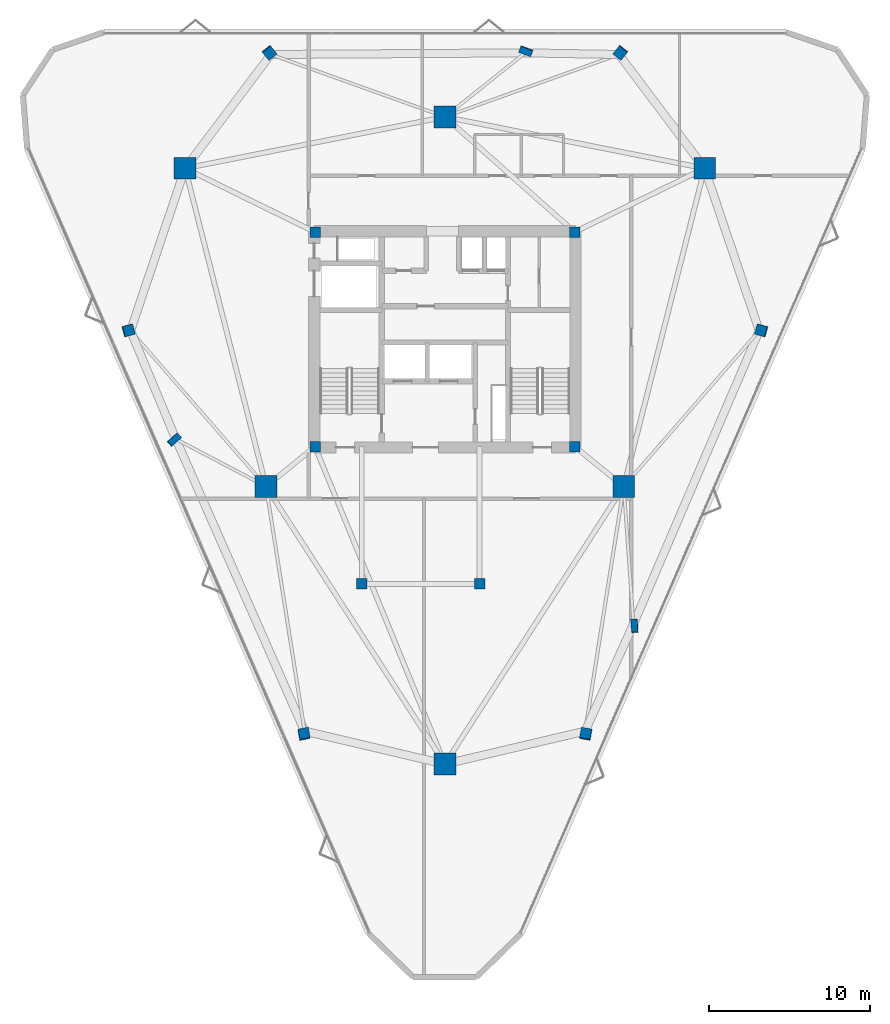
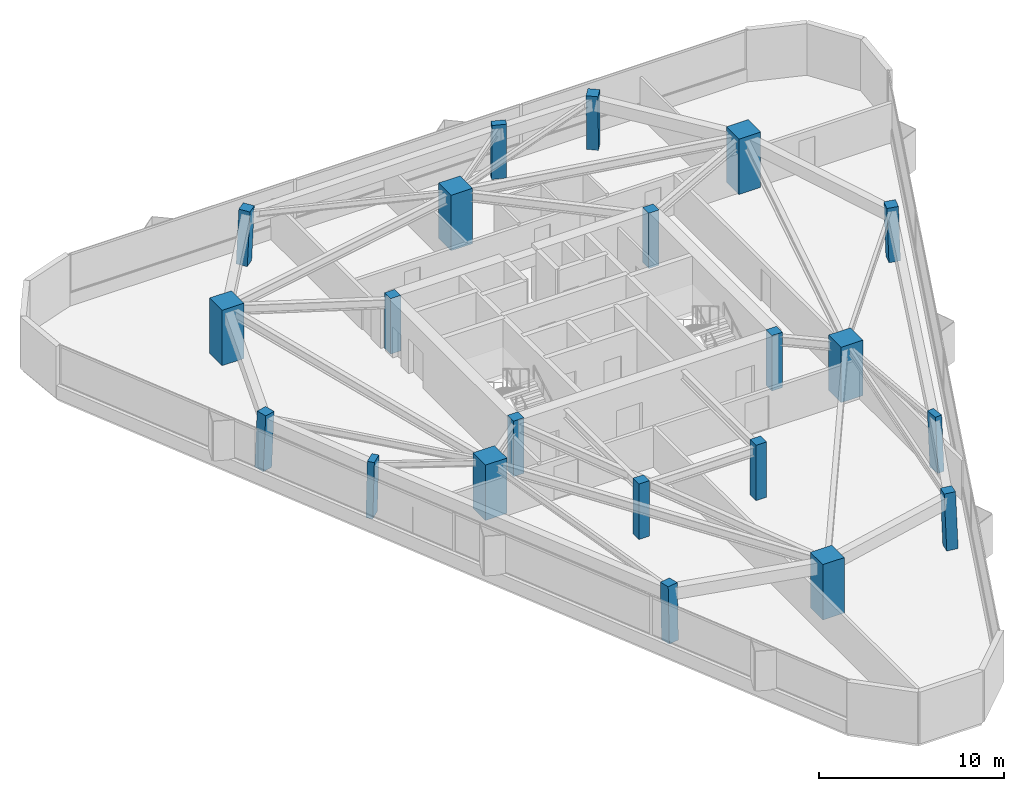
# One storey, part 1 of 12: 21 columns.
"""IFC4 building model written with IfcOpenShell, lengths in metres."""

from ifc_helpers import new_model, si_unit, direction, frame, origin, origin_2d, place, context, subcontext, project, spatial, rectangle, extrude, material, material_profile, profile_set, type_object, element, save


model = new_model("IFC4")

# Units and contexts
model_context = context("Model", 3, precision=1e-05, world=origin(), true_north=direction((0.0, 1.0)))
body_context = subcontext(model_context, "Body", "Model", "MODEL_VIEW")
ifc_project = project(units=[si_unit("LENGTHUNIT", "METRE"), si_unit("AREAUNIT", "SQUARE_METRE"), si_unit("VOLUMEUNIT", "CUBIC_METRE"), si_unit("PLANEANGLEUNIT", "RADIAN"), si_unit("MASSUNIT", "GRAM", prefix="KILO")], contexts=[model_context])

# Site, building, storey
site_placement = place(None, origin())
site = spatial("IfcSite", under=ifc_project, at=site_placement, CompositionType="ELEMENT")
building_placement = place(site_placement, origin())
building = spatial("IfcBuilding", under=site, at=building_placement, Name="Talyreon Biosciences Tower", CompositionType="ELEMENT")
storey_placement = place(building_placement, frame((0.0, 0.0, 197.64990234375)))
storey = spatial("IfcBuildingStorey", under=building, at=storey_placement, Name="L52", CompositionType="ELEMENT", Elevation=197.64990234375)

# Columns
ifc_material_1 = material(Name="Precast concrete C45/55", Category="concrete")
ifc_material_profile_1 = material_profile(ifc_material_1, rectangle(XDim=0.800048828125, YDim=0.39990234375, at=origin_2d()), Name="RC 800x400")
ifc_profile_set_1 = profile_set([ifc_material_profile_1], Name="Precast concrete C45/55")
column_type_1 = type_object("IfcColumnType", Name="FacadePilaster_800x400", PredefinedType="PILASTER", material=ifc_profile_set_1)
column_1_placement = place(storey_placement, frame((77.763916015625, 50.21630859375, 0.003173828125), z_axis=(-0.019611953815, 0.038353752683, 0.999071749637), x_axis=(0.062065910762, -0.997289967438, 0.039503715878)))
element("IfcColumn", 1, at=column_1_placement, inside=storey, type_object=column_type_1, Name="L52 Facade Pilaster PL-SE", PredefinedType="PILASTER", context=body_context, shape_type="SweptSolid", body=[
    extrude(rectangle(XDim=0.800048828125, YDim=0.39990234375, at=origin_2d()), origin(), (0.0, 0.0, 1.0), 3.6474609375),
])
column_2_placement = place(storey_placement, frame((71.026123046875, 85.8798828125, 0.003173828125), z_axis=(-0.01238655289, -0.033544124313, 0.999360478022), x_axis=(-0.9380871136, 0.346399433166, 0.0)))
element("IfcColumn", 2, at=column_2_placement, inside=storey, type_object=column_type_1, Name="L52 Facade Pilaster PL-N", PredefinedType="PILASTER", context=body_context, shape_type="SweptSolid", body=[
    extrude(rectangle(XDim=0.800048828125, YDim=0.39990234375, at=origin_2d()), origin(), (0.0, 0.0, 1.0), 3.646484375),
])
column_3_placement = place(storey_placement, frame((49.210205078125, 61.7744140625, 0.003173828125), z_axis=(0.032006454348, 0.010579539303, 0.999431668614), x_axis=(0.745062691022, 0.666277685835, -0.030913294967)))
element("IfcColumn", 3, at=column_3_placement, inside=storey, type_object=column_type_1, Name="L52 Facade Pilaster PL-SW", PredefinedType="PILASTER", context=body_context, shape_type="SweptSolid", body=[
    extrude(rectangle(XDim=0.800048828125, YDim=0.39990234375, at=origin_2d()), origin(), (0.0, 0.0, 1.0), 3.64599609375),
])
ifc_material_2 = material(Name="Concrete C50/60", Category="concrete")
ifc_material_profile_2 = material_profile(ifc_material_2, rectangle(XDim=1.35009765625, YDim=1.35009765625, at=origin_2d()), Name="RC 1350x1350")
ifc_profile_set_2 = profile_set([ifc_material_profile_2], Name="Concrete C50/60")
column_type_2 = type_object("IfcColumnType", Name="MegaColumn_1350", PredefinedType="COLUMN", material=ifc_profile_set_2)
for number, where, z_axis, x_axis, name in (
    (4, (66.0, 41.6669921875, 0.0), (0.0, 0.0, 1.0), (1.0, 0.0, 0.0), "L52 Composite Mega-Column MC1"),
    (5, (82.102294921875, 78.5986328125, 0.0), (0.0, 0.0, 1.0), (1.0, 0.0, 0.0), "L52 Composite Mega-Column MC2"),
    (6, (49.897705078125, 78.5986328125, 0.0), (0.0, 0.0, 1.0), (1.0, 0.0, 0.0), "L52 Composite Mega-Column MC3"),
    (7, (77.086181640625, 58.88037109375, 0.0), (0.0, 0.0, 1.0), (1.0, 0.0, 0.0), "L52 Composite Mega-Column MC4"),
    (8, (66.0, 81.788818359375, 0.0), (0.0, 0.0, 1.0), (1.0, 0.0, 0.0), "L52 Composite Mega-Column MC5"),
    (9, (54.913818359375, 58.88037109375, 0.0), (0.0, 0.0, 1.0), (1.0, 0.0, 0.0), "L52 Composite Mega-Column MC6"),
):
    element("IfcColumn", number, at=place(storey_placement, frame(where, z_axis=z_axis, x_axis=x_axis)), inside=storey, type_object=column_type_2, Name=name, PredefinedType="COLUMN", context=body_context, shape_type="SweptSolid", body=[
        extrude(rectangle(XDim=1.35009765625, YDim=1.35009765625, at=origin_2d()), origin(), (0.0, 0.0, 1.0), 3.650146484375),
    ])
ifc_material_profile_3 = material_profile(ifc_material_2, rectangle(XDim=0.64990234375, YDim=0.64990234375, at=origin_2d()), Name="RC 650x650")
ifc_profile_set_3 = profile_set([ifc_material_profile_3], Name="Concrete C50/60")
column_type_3 = type_object("IfcColumnType", Name="PerimeterColumn_650", PredefinedType="COLUMN", material=ifc_profile_set_3)
for number, where, z_axis, x_axis, name in (
    (10, (57.949951171875, 61.35009765625, 0.0), (0.0, 0.0, 1.0), (1.0, 0.0, 0.0), "L52 Core Column CC1"),
    (11, (74.050048828125, 61.35009765625, 0.0), (0.0, 0.0, 1.0), (1.0, 0.0, 0.0), "L52 Core Column CC2"),
    (12, (74.050048828125, 74.64990234375, 0.0), (0.0, 0.0, 1.0), (1.0, 0.0, 0.0), "L52 Core Column CC3"),
    (13, (57.949951171875, 74.64990234375, 0.0), (0.0, 0.0, 1.0), (1.0, 0.0, 0.0), "L52 Core Column CC4"),
    (14, (60.85009765625, 52.840087890625, 0.0), (0.0, 0.0, 1.0), (1.0, 0.0, 0.0), "L52 Core Column CSW"),
    (15, (68.14990234375, 52.840087890625, 0.0), (0.0, 0.0, 1.0), (1.0, 0.0, 0.0), "L52 Core Column CSE"),
):
    element("IfcColumn", number, at=place(storey_placement, frame(where, z_axis=z_axis, x_axis=x_axis)), inside=storey, type_object=column_type_3, Name=name, PredefinedType="COLUMN", context=body_context, shape_type="SweptSolid", body=[
        extrude(rectangle(XDim=0.64990234375, YDim=0.64990234375, at=origin_2d()), origin(), (0.0, 0.0, 1.0), 3.650146484375),
    ])
column_4_placement = place(storey_placement, frame((74.740234375, 43.513916015625, 0.003173828125), z_axis=(-0.012375096162, 0.054517315524, 0.998436136818), x_axis=(-0.186205782561, -0.981172323206, 0.051266740831)))
element("IfcColumn", 16, at=column_4_placement, inside=storey, type_object=column_type_3, Name="L52 Tapering Perimeter Column PC-SE1", PredefinedType="COLUMN", context=body_context, shape_type="SweptSolid", body=[
    extrude(rectangle(XDim=0.64990234375, YDim=0.64990234375, at=origin_2d()), origin(), (0.0, 0.0, 1.0), 3.649658203125),
])
column_5_placement = place(storey_placement, frame((85.630126953125, 68.556640625, 0.003173828125), z_axis=(-0.039229493406, -0.00569028488, 0.999214024874), x_axis=(0.964079797573, -0.263113463524, 0.036351743064)))
element("IfcColumn", 17, at=column_5_placement, inside=storey, type_object=column_type_3, Name="L52 Tapering Perimeter Column PC-SE2", PredefinedType="COLUMN", context=body_context, shape_type="SweptSolid", body=[
    extrude(rectangle(XDim=0.64990234375, YDim=0.64990234375, at=origin_2d()), origin(), (0.0, 0.0, 1.0), 3.64697265625),
])
for number, where, z_axis, x_axis, name in (
    (18, (76.889892578125, 85.77978515625, 0.003173828125), (-0.026841076243, -0.033534611465, 0.999077067328), (-0.780716755404, 0.624885067698, 0.0), "L52 Tapering Perimeter Column PC-N1"),
    (19, (55.110107421875, 85.77978515625, 0.003173828125), (0.026841076243, -0.033534611465, 0.999077067328), (-0.780716755404, -0.624885067698, 0.0), "L52 Tapering Perimeter Column PC-N2"),
):
    element("IfcColumn", number, at=place(storey_placement, frame(where, z_axis=z_axis, x_axis=x_axis)), inside=storey, type_object=column_type_3, Name=name, PredefinedType="COLUMN", context=body_context, shape_type="SweptSolid", body=[
        extrude(rectangle(XDim=0.64990234375, YDim=0.64990234375, at=origin_2d()), origin(), (0.0, 0.0, 1.0), 3.6474609375),
    ])
column_6_placement = place(storey_placement, frame((46.369873046875, 68.556640625, 0.003173828125), z_axis=(0.039229493406, -0.00569028488, 0.999214024874), x_axis=(0.964079797573, 0.263113463524, -0.036351743064)))
element("IfcColumn", 20, at=column_6_placement, inside=storey, type_object=column_type_3, Name="L52 Tapering Perimeter Column PC-SW1", PredefinedType="COLUMN", context=body_context, shape_type="SweptSolid", body=[
    extrude(rectangle(XDim=0.64990234375, YDim=0.64990234375, at=origin_2d()), origin(), (0.0, 0.0, 1.0), 3.64697265625),
])
column_7_placement = place(storey_placement, frame((57.259765625, 43.513916015625, 0.003173828125), z_axis=(0.012375096162, 0.054517315524, 0.998436136818), x_axis=(-0.186205782561, 0.981172323206, -0.051266740831)))
element("IfcColumn", 21, at=column_7_placement, inside=storey, type_object=column_type_3, Name="L52 Tapering Perimeter Column PC-SW2", PredefinedType="COLUMN", context=body_context, shape_type="SweptSolid", body=[
    extrude(rectangle(XDim=0.64990234375, YDim=0.64990234375, at=origin_2d()), origin(), (0.0, 0.0, 1.0), 3.649658203125),
])

save(model, "model.ifc")
